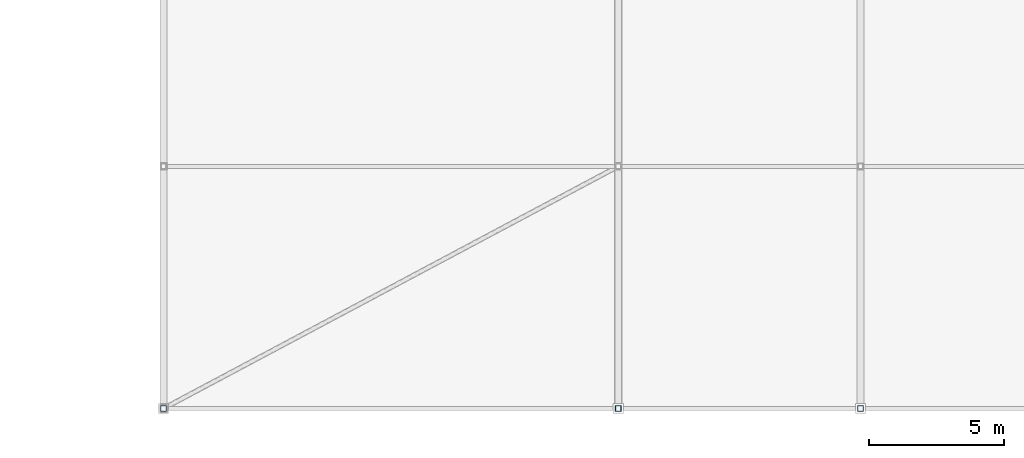
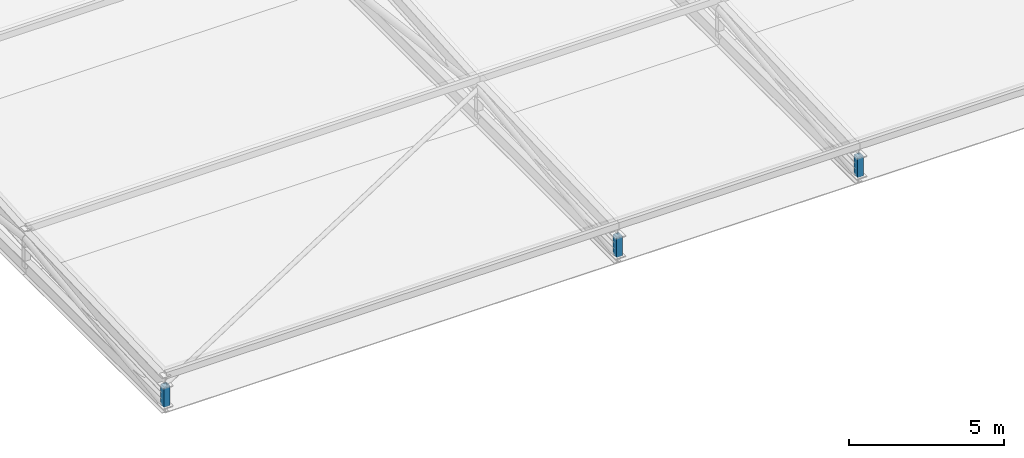
# One storey, part 77 of 114: 3 members.
"""IFC4 building model written with IfcOpenShell, lengths in metres."""

from ifc_helpers import new_model, si_unit, direction, frame, origin, origin_2d, place, context, subcontext, project, spatial, hollow_rectangle, extrude, material, material_profile, profile_set, type_object, element, save


model = new_model("IFC4")

# Units and contexts
model_context = context("Model", 3, precision=1e-05, world=origin(), true_north=direction((0.0, 1.0)))
body_context = subcontext(model_context, "Body", "Model", "MODEL_VIEW")
ifc_project = project(units=[si_unit("LENGTHUNIT", "METRE"), si_unit("AREAUNIT", "SQUARE_METRE"), si_unit("VOLUMEUNIT", "CUBIC_METRE"), si_unit("PLANEANGLEUNIT", "RADIAN"), si_unit("MASSUNIT", "GRAM", prefix="KILO"), si_unit("THERMODYNAMICTEMPERATUREUNIT", "KELVIN"), si_unit("POWERUNIT", "WATT")], contexts=[model_context])

# Site, building, storey
site_placement = place(None, origin())
site = spatial("IfcSite", under=ifc_project, at=site_placement, CompositionType="ELEMENT")
building_placement = place(site_placement, origin())
building = spatial("IfcBuilding", under=site, at=building_placement, Name="Sindhuravela Promenade Stadium", CompositionType="ELEMENT")
storey_placement = place(building_placement, frame((0.0, 0.0, 24.0)))
storey = spatial("IfcBuildingStorey", under=building, at=storey_placement, Name="L05", CompositionType="ELEMENT", Elevation=24.0)

# Members
ifc_material = material(Name="Steel E350 (IS 2062 E350BR)", Category="steel")
ifc_material_profile = material_profile(ifc_material, hollow_rectangle(XDim=0.219970703125, YDim=0.219970703125, WallThickness=0.011962890625, at=origin_2d()), Name="SHS 220x220x12")
ifc_profile_set = profile_set([ifc_material_profile], Name="Steel E350 (IS 2062 E350BR)")
member_type = type_object("IfcMemberType", Name="ST-MB-SHS220", PredefinedType="POST", material=ifc_profile_set)
for number, where, z_axis, x_axis, name in (
    (1, (55.10009765625, 9.0, 0.0), (0.0, 0.0, 1.0), (1.0, 0.0, 0.0), "Roof truss RT-S01 vertical post 1"),
    (2, (72.0, 9.0, 0.0), (0.0, 0.0, 1.0), (1.0, 0.0, 0.0), "Roof truss RT-S02 vertical post 1"),
    (3, (81.0, 9.0, 0.0), (0.0, 0.0, 1.0), (1.0, 0.0, 0.0), "Roof truss RT-S03 vertical post 1"),
):
    element("IfcMember", number, at=place(storey_placement, frame(where, z_axis=z_axis, x_axis=x_axis)), inside=storey, type_object=member_type, Name=name, PredefinedType="POST", context=body_context, shape_type="SweptSolid", body=[
        extrude(hollow_rectangle(XDim=0.219970703125, YDim=0.219970703125, WallThickness=0.011962890625, at=origin_2d()), origin(), (0.0, 0.0, 1.0), 0.800048828125),
    ])

save(model, "model.ifc")
